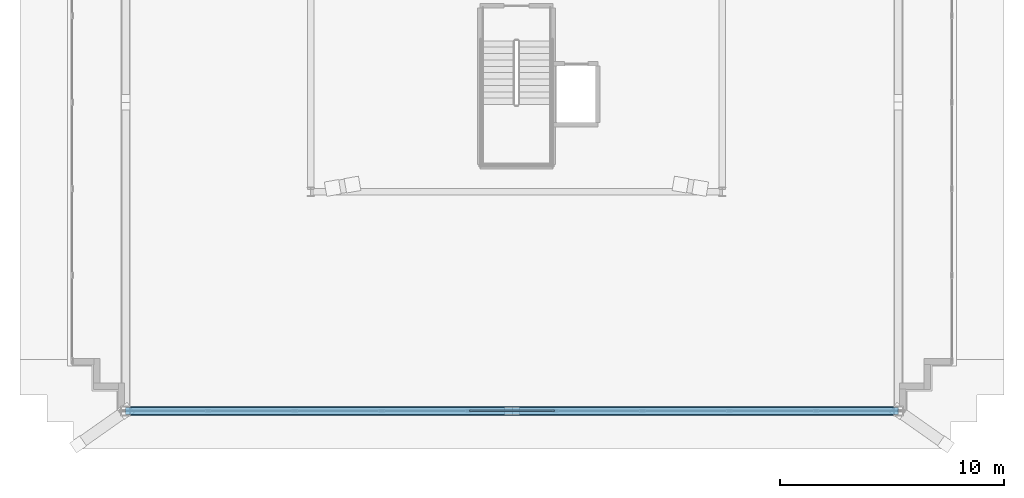
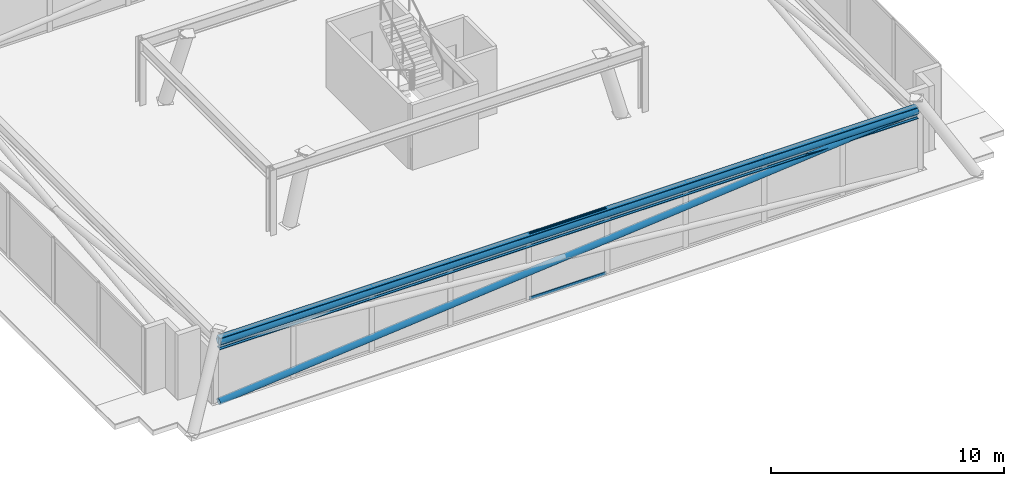
# One storey, part 6 of 22: 4 members, 1 beam, 1 element without a shape of its own.
"""IFC4 building model written with IfcOpenShell, lengths in metres."""

from ifc_helpers import new_model, si_unit, direction, frame, origin, origin_2d, place, context, subcontext, project, spatial, hollow_rectangle, hollow_circle, i_section, extrude, material, layer, layer_set, material_profile, profile_set, type_object, element, aggregate, save


model = new_model("IFC4")

# Units and contexts
model_context = context("Model", 3, precision=1e-05, world=origin(), true_north=direction((0.0, 1.0)))
body_context = subcontext(model_context, "Body", "Model", "MODEL_VIEW")
ifc_project = project(units=[si_unit("LENGTHUNIT", "METRE"), si_unit("AREAUNIT", "SQUARE_METRE"), si_unit("VOLUMEUNIT", "CUBIC_METRE"), si_unit("PLANEANGLEUNIT", "RADIAN"), si_unit("MASSUNIT", "GRAM", prefix="KILO")], contexts=[model_context])

# Site, building, storey
site_placement = place(None, origin())
site = spatial("IfcSite", under=ifc_project, at=site_placement, CompositionType="ELEMENT")
building_placement = place(site_placement, origin())
building = spatial("IfcBuilding", under=site, at=building_placement, Name="Qobustan Lattice House", CompositionType="ELEMENT")
storey_placement = place(building_placement, frame((0.0, 0.0, 274.0)))
storey = spatial("IfcBuildingStorey", under=building, at=storey_placement, Name="L77", CompositionType="ELEMENT", Elevation=274.0)

# Beam
ifc_material_1 = material(Name="Steel S355", Category="steel")
ifc_material_profile_1 = material_profile(ifc_material_1, i_section(OverallWidth=0.300048828125, OverallDepth=0.60009765625, WebThickness=0.015380859375, FlangeThickness=0.030029296875, FilletRadius=0.027099609375, at=origin_2d()), Name="HEB600")
ifc_profile_set_1 = profile_set([ifc_material_profile_1], Name="Steel S355")
beam_type = type_object("IfcBeamType", Name="BM-POD-HEB600", PredefinedType="USERDEFINED", material=ifc_profile_set_1)
beam_placement = place(storey_placement, frame((-17.473388671875, -15.401611328125, 3.10009765625), z_axis=(1.0, 0.0, 0.0), x_axis=(0.0, 1.0, 0.0)))
element("IfcBeam", 1, at=beam_placement, inside=storey, type_object=beam_type, Name="L77 crown perimeter ring beam 1", ObjectType="GIRDER", PredefinedType="USERDEFINED", context=body_context, shape_type="SweptSolid", body=[
    extrude(i_section(OverallWidth=0.300048828125, OverallDepth=0.60009765625, WebThickness=0.015380859375, FlangeThickness=0.030029296875, FilletRadius=0.027099609375, at=origin_2d()), origin(), (0.0, 0.0, 1.0), 34.546875),
])

# Curtain wall, members
ifc_material_2 = material(Name="Anodised aluminium and low-E glazing", Category="aluminium")
ifc_layer = layer(ifc_material_2, 0.219970703125)
ifc_layer_set = layer_set([ifc_layer], Name="Anodised aluminium and low-E glazing")
curtain_wall_type = type_object("IfcCurtainWallType", Name="CW-CRN-01", PredefinedType="USERDEFINED", material=ifc_layer_set)
curtain_wall_placement = place(storey_placement, origin())
curtain_wall = element("IfcCurtainWall", 2, at=curtain_wall_placement, inside=storey, type_object=curtain_wall_type, Name="L77 glass-point crown faceted curtain wall 20", ObjectType="CURTAIN WALL", PredefinedType="USERDEFINED")
ifc_material_3 = material(Name="Anodised aluminium EN AW-6063 T6", Category="aluminium")
ifc_material_profile_2 = material_profile(ifc_material_3, hollow_rectangle(XDim=0.06494140625, YDim=0.159912109375, WallThickness=0.00390625, at=origin_2d()), Name="CWT-160x65")
ifc_profile_set_2 = profile_set([ifc_material_profile_2], Name="Anodised aluminium EN AW-6063 T6")
member_type_1 = type_object("IfcMemberType", Name="CWT-HOR-160", PredefinedType="USERDEFINED", material=ifc_profile_set_2)
member_1_placement = place(storey_placement, frame((1.696533203125, -15.401611328125, 0.032470703125), z_axis=(-1.0, 0.0, 0.0), x_axis=(0.0, -1.0, 0.0)))
member_1 = element("IfcMember", 3, at=member_1_placement, type_object=member_type_1, Name="CW-CR transom 5.1", ObjectType="TRANSOM", PredefinedType="USERDEFINED", context=body_context, shape_type="SweptSolid", body=[
    extrude(hollow_rectangle(XDim=0.06494140625, YDim=0.159912109375, WallThickness=0.00390625, at=origin_2d()), origin(), (0.0, 0.0, 1.0), 3.79296875),
])
member_2_placement = place(storey_placement, frame((1.696533203125, -15.401611328125, 3.367431640625), z_axis=(-1.0, 0.0, 0.0), x_axis=(0.0, -1.0, 0.0)))
member_2 = element("IfcMember", 4, at=member_2_placement, type_object=member_type_1, Name="CW-CR transom 5.2", ObjectType="TRANSOM", PredefinedType="USERDEFINED", context=body_context, shape_type="SweptSolid", body=[
    extrude(hollow_rectangle(XDim=0.06494140625, YDim=0.159912109375, WallThickness=0.00390625, at=origin_2d()), origin(), (0.0, 0.0, 1.0), 3.79296875),
])
aggregate(curtain_wall, [member_1, member_2])

# Members
ifc_material_4 = material(Name="Steel S355", Category="steel")
ifc_material_profile_3 = material_profile(ifc_material_4, hollow_circle(Radius=0.161865234375, WallThickness=0.012451171875, at=origin_2d()), Name="CHS323.9x12.5")
ifc_profile_set_3 = profile_set([ifc_material_profile_3], Name="Steel S355")
member_type_2 = type_object("IfcMemberType", Name="MEM-CBR-CHS324", PredefinedType="BRACE", material=ifc_profile_set_3)
member_3_placement = place(storey_placement, frame((-17.473388671875, -15.401611328125, 0.014892578125), z_axis=(0.995829509319, 0.0, 0.091233701936), x_axis=(0.0, 1.0, 0.0)))
element("IfcMember", 5, at=member_3_placement, inside=storey, type_object=member_type_2, Name="L77 crown diagrid continuous brace 1A", PredefinedType="BRACE", context=body_context, shape_type="SweptSolid", body=[
    extrude(hollow_circle(Radius=0.161865234375, WallThickness=0.012451171875, at=origin_2d()), origin(), (0.0, 0.0, 1.0), 34.691650390625),
])
ifc_material_5 = material(Name="Steel S355", Category="steel")
ifc_material_profile_4 = material_profile(ifc_material_5, hollow_circle(Radius=0.203125, WallThickness=0.01611328125, at=origin_2d()), Name="CHS406.4x16")
ifc_profile_set_4 = profile_set([ifc_material_profile_4], Name="Steel S355")
member_type_3 = type_object("IfcMemberType", Name="MEM-RNG-CHS406", PredefinedType="CHORD", material=ifc_profile_set_4)
member_4_placement = place(storey_placement, frame((-17.473388671875, -15.401611328125, 3.179931640625), z_axis=(1.0, 0.0, 0.0), x_axis=(0.0, 1.0, 0.0)))
element("IfcMember", 6, at=member_4_placement, inside=storey, type_object=member_type_3, Name="L77 crown ring chord 1", PredefinedType="CHORD", context=body_context, shape_type="SweptSolid", body=[
    extrude(hollow_circle(Radius=0.203125, WallThickness=0.01611328125, at=origin_2d()), origin(), (0.0, 0.0, 1.0), 34.546875),
])

save(model, "model.ifc")
